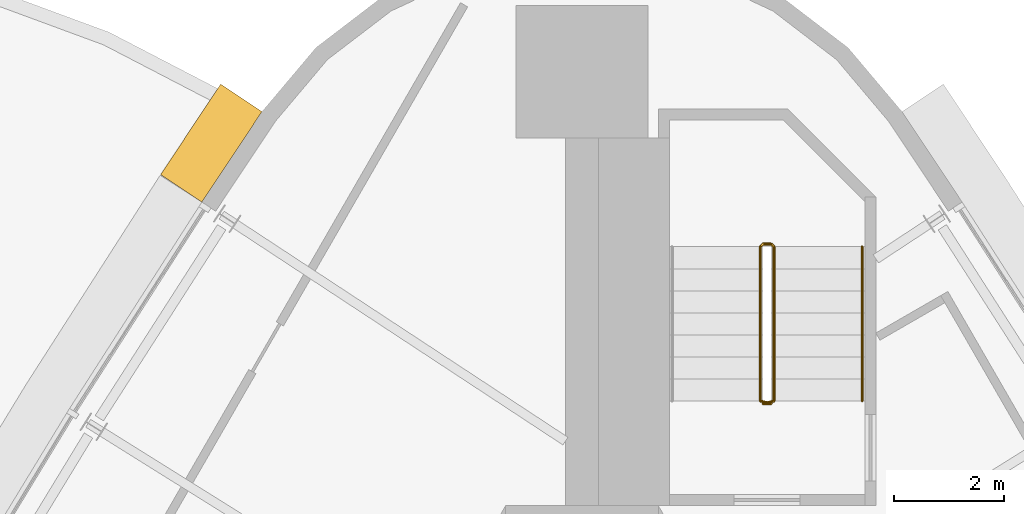
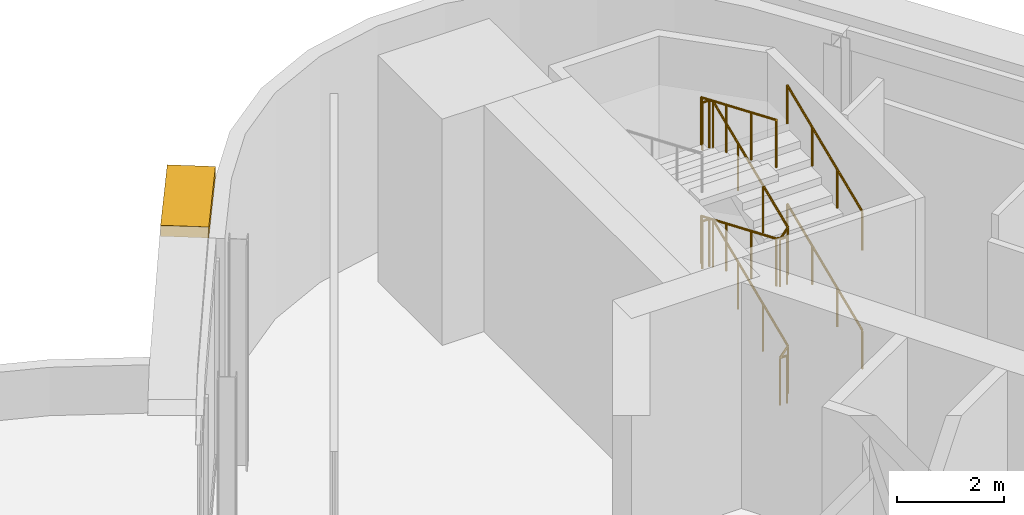
# One storey, part 8 of 8: 3 railings, 1 shading device.
"""IFC4 building model written with IfcOpenShell, lengths in metres."""

from ifc_helpers import new_model, si_unit, direction, frame, origin, origin_2d, place, context, subcontext, project, spatial, polyline, circle, outline, extrude, material, type_object, element, save


model = new_model("IFC4")

# Units and contexts
model_context = context("Model", 3, precision=1e-05, world=origin(), true_north=direction((0.0, 1.0)))
body_context = subcontext(model_context, "Body", "Model", "MODEL_VIEW")
ifc_project = project(units=[si_unit("LENGTHUNIT", "METRE"), si_unit("AREAUNIT", "SQUARE_METRE"), si_unit("VOLUMEUNIT", "CUBIC_METRE"), si_unit("PLANEANGLEUNIT", "RADIAN"), si_unit("MASSUNIT", "GRAM", prefix="KILO")], contexts=[model_context])

# Site, building, storey
site_placement = place(None, origin())
site = spatial("IfcSite", under=ifc_project, at=site_placement, CompositionType="ELEMENT")
building_placement = place(site_placement, origin())
building = spatial("IfcBuilding", under=site, at=building_placement, Name="Noor Cloister Tower", CompositionType="ELEMENT")
storey_placement = place(building_placement, frame((0.0, 0.0, 274.199951171875)))
storey = spatial("IfcBuildingStorey", under=building, at=storey_placement, Name="L70", CompositionType="ELEMENT", Elevation=274.199951171875)

# Shading device
ifc_material_1 = material(Name="Limestone", Category="masonry")
shading_device_type = type_object("IfcShadingDeviceType", Name="SUNSHADE limestone band 900", PredefinedType="USERDEFINED", material=ifc_material_1)
shading_device_placement = place(storey_placement, frame((0.0, 0.0, 5.150146484375)))
element("IfcShadingDevice", 1, at=shading_device_placement, inside=storey, type_object=shading_device_type, Name="SUNSHADE L70 4", ObjectType="SUNSHADE", PredefinedType="USERDEFINED", context=body_context, shape_type="SweptSolid", body=[
    extrude(outline(polyline([(-6.559326171875, 19.10791015625), (-7.65087890625, 17.4658203125), (-6.9013671875, 16.967529296875), (-5.809814453125, 18.609619140625), (-6.559326171875, 19.10791015625)])), origin(), (0.0, 0.0, 1.0), 0.25),
])

# Railings
ifc_material_2 = material(Name="Stainless steel", Category="steel")
railing_type_1 = type_object("IfcRailingType", Name="Stair guard 1100", PredefinedType="GUARDRAIL", material=ifc_material_2)
railing_1_placement = place(storey_placement, frame((3.435546875, 13.306396484375, 0.0)))
element("IfcRailing", 2, at=railing_1_placement, inside=storey, type_object=railing_type_1, Name="Stair guard ST1 L70", PredefinedType="GUARDRAIL", context=body_context, shape_type="SweptSolid", body=[
    extrude(circle(Radius=0.02392578125, at=origin_2d()), frame((0.0, 0.0, 1.076171875), z_axis=(-1.0, 0.0, 0.0), x_axis=(0.0, -1.0, 0.0)), (0.0, 0.0, 1.0), 0.14990234375),
    extrude(circle(Radius=0.02392578125, at=origin_2d()), frame((-0.14990234375, 0.0, 1.076171875), z_axis=(0.750691857518, 0.187902113298, 0.633367611166), x_axis=(-0.242814311512, 0.970072785993, 0.0)), (0.0, 0.0, 1.0), 0.266357421875),
    extrude(circle(Radius=0.02392578125, at=origin_2d()), frame((0.050048828125, 0.050048828125, 1.24462890625), z_axis=(0.0, 0.921349325574, 0.388735668886), x_axis=(-1.0, 0.0, 0.0)), (0.0, 0.0, 1.0), 3.0390625),
    extrude(circle(Radius=0.02392578125, at=origin_2d()), frame((0.050048828125, 2.85009765625, 2.42626953125), z_axis=(-0.708833529934, 0.705375805398, 0.0), x_axis=(-0.705375805398, -0.708833529934, 0.0)), (0.0, 0.0, 1.0), 0.070556640625),
    extrude(circle(Radius=0.02392578125, at=origin_2d()), frame((0.0, 2.89990234375, 2.42626953125), z_axis=(-1.0, 0.0, 0.0), x_axis=(0.0, -1.0, 0.0)), (0.0, 0.0, 1.0), 0.14990234375),
    extrude(circle(Radius=0.02392578125, at=origin_2d()), frame((-0.14990234375, 2.89990234375, 2.42626953125), z_axis=(-0.273668752699, -0.272333783174, 0.922463942026), x_axis=(0.705375805398, -0.708833529934, 0.0)), (0.0, 0.0, 1.0), 0.182861328125),
    extrude(circle(Radius=0.02392578125, at=origin_2d()), frame((-0.199951171875, 2.85009765625, 2.5947265625), z_axis=(0.0, -0.921378096441, 0.388667471495), x_axis=(1.0, 0.0, 0.0)), (0.0, 0.0, 1.0), 3.0390625),
    extrude(circle(Radius=0.02392578125, at=origin_2d()), frame((-0.199951171875, 0.050048828125, 3.77587890625), z_axis=(0.970072785993, -0.242814311512, 0.0), x_axis=(0.242814311512, 0.970072785993, 0.0)), (0.0, 0.0, 1.0), 0.2060546875),
    extrude(circle(Radius=0.02392578125, at=origin_2d()), frame((0.0, 0.0, 3.77587890625), z_axis=(-1.0, 0.0, 0.0), x_axis=(0.0, -1.0, 0.0)), (0.0, 0.0, 1.0), 0.14990234375),
    extrude(circle(Radius=0.02392578125, at=origin_2d()), frame((-0.14990234375, 0.0, 3.77587890625), z_axis=(0.750256113699, 0.187793044333, 0.633916032576), x_axis=(-0.242814311512, 0.970072785993, 0.0)), (0.0, 0.0, 1.0), 0.2666015625),
    extrude(circle(Radius=0.02392578125, at=origin_2d()), frame((0.050048828125, 0.050048828125, 3.94482421875), z_axis=(0.0, 0.921378096441, 0.388667471495), x_axis=(-1.0, 0.0, 0.0)), (0.0, 0.0, 1.0), 3.0390625),
    extrude(circle(Radius=0.02392578125, at=origin_2d()), frame((0.050048828125, 2.85009765625, 5.1259765625), z_axis=(-0.708833529934, 0.705375805398, 0.0), x_axis=(-0.705375805398, -0.708833529934, 0.0)), (0.0, 0.0, 1.0), 0.070556640625),
    extrude(circle(Radius=0.02392578125, at=origin_2d()), frame((0.0, 2.89990234375, 5.1259765625), z_axis=(-1.0, 0.0, 0.0), x_axis=(0.0, -1.0, 0.0)), (0.0, 0.0, 1.0), 0.14990234375),
    extrude(circle(Radius=0.02392578125, at=origin_2d()), frame((-0.14990234375, 2.89990234375, 5.1259765625), z_axis=(-0.273668752699, -0.272333783174, 0.922463942026), x_axis=(0.705375805398, -0.708833529934, 0.0)), (0.0, 0.0, 1.0), 0.182861328125),
    extrude(circle(Radius=0.02392578125, at=origin_2d()), frame((-0.199951171875, 2.85009765625, 5.294921875), z_axis=(0.0, -0.921349325574, 0.388735668886), x_axis=(1.0, 0.0, 0.0)), (0.0, 0.0, 1.0), 3.0390625),
    extrude(circle(Radius=0.02099609375, at=origin_2d()), origin(), (0.0, 0.0, 1.0), 1.052001953125),
    extrude(circle(Radius=0.02099609375, at=origin_2d()), frame((-0.14990234375, 0.0, 0.0)), (0.0, 0.0, 1.0), 1.052001953125),
    extrude(circle(Radius=0.02099609375, at=origin_2d()), frame((0.050048828125, 0.050048828125, 0.168701171875)), (0.0, 0.0, 1.0), 1.052001953125),
    extrude(circle(Radius=0.02099609375, at=origin_2d()), frame((0.050048828125, 0.9833984375, 0.5625)), (0.0, 0.0, 1.0), 1.052001953125),
    extrude(circle(Radius=0.02099609375, at=origin_2d()), frame((0.050048828125, 1.916748046875, 0.956298828125)), (0.0, 0.0, 1.0), 1.052001953125),
    extrude(circle(Radius=0.02099609375, at=origin_2d()), frame((0.050048828125, 2.85009765625, 1.35009765625)), (0.0, 0.0, 1.0), 1.052001953125),
    extrude(circle(Radius=0.02099609375, at=origin_2d()), frame((0.0, 2.89990234375, 1.35009765625)), (0.0, 0.0, 1.0), 1.052001953125),
    extrude(circle(Radius=0.02099609375, at=origin_2d()), frame((-0.14990234375, 2.89990234375, 1.35009765625)), (0.0, 0.0, 1.0), 1.052001953125),
    extrude(circle(Radius=0.02099609375, at=origin_2d()), frame((-0.199951171875, 2.85009765625, 1.518798828125)), (0.0, 0.0, 1.0), 1.052001953125),
    extrude(circle(Radius=0.02099609375, at=origin_2d()), frame((-0.199951171875, 1.916748046875, 1.91259765625)), (0.0, 0.0, 1.0), 1.052001953125),
    extrude(circle(Radius=0.02099609375, at=origin_2d()), frame((-0.199951171875, 0.9833984375, 2.30615234375)), (0.0, 0.0, 1.0), 1.052001953125),
    extrude(circle(Radius=0.02099609375, at=origin_2d()), frame((-0.199951171875, 0.050048828125, 2.699951171875)), (0.0, 0.0, 1.0), 1.052001953125),
    extrude(circle(Radius=0.02099609375, at=origin_2d()), frame((0.0, 0.0, 2.699951171875)), (0.0, 0.0, 1.0), 1.052001953125),
    extrude(circle(Radius=0.02099609375, at=origin_2d()), frame((-0.14990234375, 0.0, 2.699951171875)), (0.0, 0.0, 1.0), 1.052001953125),
    extrude(circle(Radius=0.02099609375, at=origin_2d()), frame((0.050048828125, 0.050048828125, 2.868896484375)), (0.0, 0.0, 1.0), 1.052001953125),
    extrude(circle(Radius=0.02099609375, at=origin_2d()), frame((0.050048828125, 0.9833984375, 3.2626953125)), (0.0, 0.0, 1.0), 1.052001953125),
    extrude(circle(Radius=0.02099609375, at=origin_2d()), frame((0.050048828125, 1.916748046875, 3.65625)), (0.0, 0.0, 1.0), 1.052001953125),
    extrude(circle(Radius=0.02099609375, at=origin_2d()), frame((0.050048828125, 2.85009765625, 4.050048828125)), (0.0, 0.0, 1.0), 1.052001953125),
    extrude(circle(Radius=0.02099609375, at=origin_2d()), frame((0.0, 2.89990234375, 4.050048828125)), (0.0, 0.0, 1.0), 1.052001953125),
    extrude(circle(Radius=0.02099609375, at=origin_2d()), frame((-0.14990234375, 2.89990234375, 4.050048828125)), (0.0, 0.0, 1.0), 1.052001953125),
    extrude(circle(Radius=0.02099609375, at=origin_2d()), frame((-0.199951171875, 2.85009765625, 4.21875)), (0.0, 0.0, 1.0), 1.052001953125),
    extrude(circle(Radius=0.02099609375, at=origin_2d()), frame((-0.199951171875, 1.916748046875, 4.612548828125)), (0.0, 0.0, 1.0), 1.052001953125),
    extrude(circle(Radius=0.02099609375, at=origin_2d()), frame((-0.199951171875, 0.9833984375, 5.00634765625)), (0.0, 0.0, 1.0), 1.052001953125),
    extrude(circle(Radius=0.02099609375, at=origin_2d()), frame((-0.199951171875, 0.050048828125, 5.400146484375)), (0.0, 0.0, 1.0), 1.052001953125),
])
ifc_material_3 = material(Name="Stainless steel", Category="steel")
railing_type_2 = type_object("IfcRailingType", Name="Stair handrail 900", PredefinedType="HANDRAIL", material=ifc_material_3)
railing_2_placement = place(storey_placement, frame((5.085693359375, 13.3564453125, 0.168701171875)))
element("IfcRailing", 3, at=railing_2_placement, inside=storey, type_object=railing_type_2, Name="Stair handrail ST1 L70 1", PredefinedType="HANDRAIL", context=body_context, shape_type="SweptSolid", body=[
    extrude(circle(Radius=0.02392578125, at=origin_2d()), frame((0.0, 0.0, 0.8759765625), z_axis=(0.0, 0.921349325574, 0.388735668886), x_axis=(-1.0, 0.0, 0.0)), (0.0, 0.0, 1.0), 3.0390625),
    extrude(circle(Radius=0.02099609375, at=origin_2d()), origin(), (0.0, 0.0, 1.0), 0.851806640625),
    extrude(circle(Radius=0.02099609375, at=origin_2d()), frame((0.0, 0.933349609375, 0.393798828125)), (0.0, 0.0, 1.0), 0.851806640625),
    extrude(circle(Radius=0.02099609375, at=origin_2d()), frame((0.0, 1.86669921875, 0.78759765625)), (0.0, 0.0, 1.0), 0.851806640625),
    extrude(circle(Radius=0.02099609375, at=origin_2d()), frame((0.0, 2.800048828125, 1.181396484375)), (0.0, 0.0, 1.0), 0.851806640625),
])
railing_3_placement = place(storey_placement, frame((5.085693359375, 13.3564453125, 2.868896484375)))
element("IfcRailing", 4, at=railing_3_placement, inside=storey, type_object=railing_type_2, Name="Stair handrail ST1 L70 3", PredefinedType="HANDRAIL", context=body_context, shape_type="SweptSolid", body=[
    extrude(circle(Radius=0.02392578125, at=origin_2d()), frame((0.0, 0.0, 0.8759765625), z_axis=(0.0, 0.921378096441, 0.388667471495), x_axis=(-1.0, 0.0, 0.0)), (0.0, 0.0, 1.0), 3.0390625),
    extrude(circle(Radius=0.02099609375, at=origin_2d()), origin(), (0.0, 0.0, 1.0), 0.851806640625),
    extrude(circle(Radius=0.02099609375, at=origin_2d()), frame((0.0, 0.933349609375, 0.393798828125)), (0.0, 0.0, 1.0), 0.851806640625),
    extrude(circle(Radius=0.02099609375, at=origin_2d()), frame((0.0, 1.86669921875, 0.787353515625)), (0.0, 0.0, 1.0), 0.851806640625),
    extrude(circle(Radius=0.02099609375, at=origin_2d()), frame((0.0, 2.800048828125, 1.18115234375)), (0.0, 0.0, 1.0), 0.851806640625),
])

save(model, "model.ifc")
